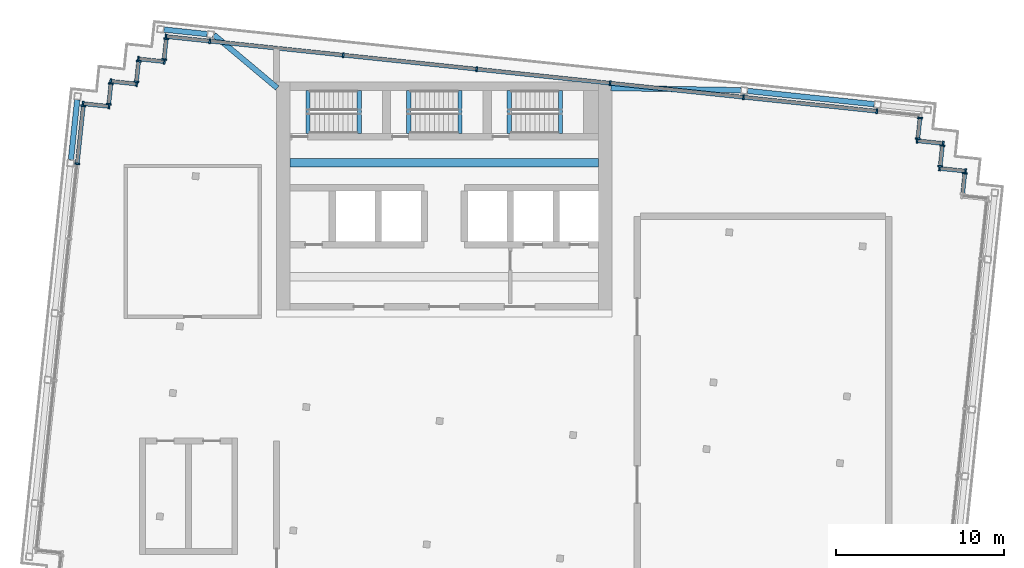
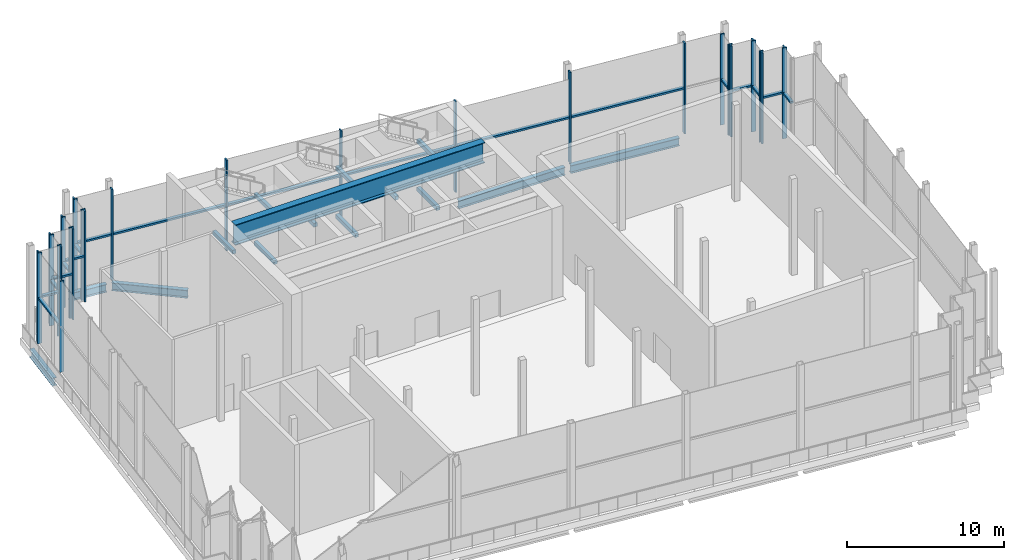
# One storey, part 5 of 14: 48 members, 15 beams, 13 elements without a shape of their own.
"""IFC4 building model written with IfcOpenShell, lengths in metres."""

from ifc_helpers import new_model, si_unit, direction, frame, origin, origin_2d, place, context, subcontext, project, spatial, rectangle, i_section, extrude, material, material_profile, profile_set, type_object, element, aggregate, save


model = new_model("IFC4")

# Units and contexts
model_context = context("Model", 3, precision=1e-05, world=origin(), true_north=direction((0.0, 1.0)))
body_context = subcontext(model_context, "Body", "Model", "MODEL_VIEW")
ifc_project = project(units=[si_unit("LENGTHUNIT", "METRE"), si_unit("AREAUNIT", "SQUARE_METRE"), si_unit("VOLUMEUNIT", "CUBIC_METRE"), si_unit("PLANEANGLEUNIT", "RADIAN"), si_unit("MASSUNIT", "GRAM", prefix="KILO")], contexts=[model_context])

# Site, building, storey
site_placement = place(None, origin())
site = spatial("IfcSite", under=ifc_project, at=site_placement, CompositionType="ELEMENT")
building_placement = place(site_placement, origin())
building = spatial("IfcBuilding", under=site, at=building_placement, Name="Vidyagriha Tower", CompositionType="ELEMENT")
storey_placement = place(building_placement, frame((0.0, 0.0, 301.699951171875)))
storey = spatial("IfcBuildingStorey", under=building, at=storey_placement, Name="L78", CompositionType="ELEMENT", Elevation=301.699951171875)

# Beams
ifc_material_1 = material(Name="Steel ASTM A992 Grade 50", Category="steel")
ifc_material_profile_1 = material_profile(ifc_material_1, i_section(OverallWidth=0.5, OverallDepth=1.60009765625, WebThickness=0.030029296875, FlangeThickness=0.06005859375, at=origin_2d()), Name="H1600x500x30x60")
ifc_profile_set_1 = profile_set([ifc_material_profile_1], Name="Steel ASTM A992 Grade 50")
beam_type_1 = type_object("IfcBeamType", Name="Damper support girder H1600x500x30x60", PredefinedType="BEAM", material=ifc_profile_set_1)
beam_1_placement = place(storey_placement, frame((-9.199951171875, 15.199951171875, 6.280029296875), z_axis=(1.0, 0.0, 0.0), x_axis=(0.0, 1.0, 0.0)))
element("IfcBeam", 1, at=beam_1_placement, inside=storey, type_object=beam_type_1, Name="st-beam-L78-DG2", PredefinedType="BEAM", context=body_context, shape_type="SweptSolid", body=[
    extrude(i_section(OverallWidth=0.5, OverallDepth=1.60009765625, WebThickness=0.030029296875, FlangeThickness=0.06005859375, at=origin_2d()), origin(), (0.0, 0.0, 1.0), 18.39990234375),
])
ifc_material_2 = material(Name="Steel ASTM A992 Grade 50", Category="steel")
ifc_material_profile_2 = material_profile(ifc_material_2, i_section(OverallWidth=0.32373046875, OverallDepth=0.612060546875, WebThickness=0.0126953125, FlangeThickness=0.01904296875, at=origin_2d()), Name="W24X104")
ifc_profile_set_2 = profile_set([ifc_material_profile_2], Name="Steel ASTM A992 Grade 50")
beam_type_2 = type_object("IfcBeamType", Name="Edge beam W24X104", PredefinedType="SPANDREL", material=ifc_profile_set_2)
beam_2_placement = place(storey_placement, frame((-22.269287109375, 15.372802734375, -0.805908203125), z_axis=(0.104578872801, 0.994516595821, 0.0), x_axis=(-0.994516595821, 0.104578872801, 0.0)))
element("IfcBeam", 2, at=beam_2_placement, inside=storey, type_object=beam_type_2, Name="st-beam-L78-W12", PredefinedType="SPANDREL", context=body_context, shape_type="SweptSolid", body=[
    extrude(i_section(OverallWidth=0.32373046875, OverallDepth=0.612060546875, WebThickness=0.0126953125, FlangeThickness=0.01904296875, at=origin_2d()), origin(), (0.0, 0.0, 1.0), 3.599853515625),
])
beam_3_placement = place(storey_placement, frame((-16.727294921875, 23.135986328125, -0.805908203125), z_axis=(0.994523446942, -0.104513699976, 0.0), x_axis=(0.104513699976, 0.994523446942, 0.0)))
element("IfcBeam", 3, at=beam_3_placement, inside=storey, type_object=beam_type_2, Name="st-beam-L78-NW18", PredefinedType="SPANDREL", context=body_context, shape_type="SweptSolid", body=[
    extrude(i_section(OverallWidth=0.32373046875, OverallDepth=0.612060546875, WebThickness=0.0126953125, FlangeThickness=0.01904296875, at=origin_2d()), origin(), (0.0, 0.0, 1.0), 2.599853515625),
])
beam_4_placement = place(storey_placement, frame((18.080810546875, 19.4775390625, -0.805908203125), z_axis=(0.994521985944, -0.104527601494, 0.0), x_axis=(0.104527601494, 0.994521985944, 0.0)))
element("IfcBeam", 4, at=beam_4_placement, inside=storey, type_object=beam_type_2, Name="st-beam-L78-NE19", PredefinedType="SPANDREL", context=body_context, shape_type="SweptSolid", body=[
    extrude(i_section(OverallWidth=0.32373046875, OverallDepth=0.612060546875, WebThickness=0.0126953125, FlangeThickness=0.01904296875, at=origin_2d()), origin(), (0.0, 0.0, 1.0), 7.600341796875),
])
beam_5_placement = place(storey_placement, frame((-13.743896484375, 22.822509765625, -0.805908203125), z_axis=(0.76590463898, -0.642954184984, 0.0), x_axis=(0.642954184984, 0.76590463898, 0.0)))
element("IfcBeam", 5, at=beam_5_placement, inside=storey, type_object=beam_type_2, Name="st-beam-L78-NC21", PredefinedType="SPANDREL", context=body_context, shape_type="SweptSolid", body=[
    extrude(i_section(OverallWidth=0.32373046875, OverallDepth=0.612060546875, WebThickness=0.0126953125, FlangeThickness=0.01904296875, at=origin_2d()), origin(), (0.0, 0.0, 1.0), 4.934326171875),
])
beam_6_placement = place(storey_placement, frame((9.92578125, 19.64990234375, -0.805908203125), z_axis=(0.999858276636, -0.016835279726, 0.0), x_axis=(0.016835279726, 0.999858276636, 0.0)))
element("IfcBeam", 6, at=beam_6_placement, inside=storey, type_object=beam_type_2, Name="st-beam-L78-NC22", PredefinedType="SPANDREL", context=body_context, shape_type="SweptSolid", body=[
    extrude(i_section(OverallWidth=0.32373046875, OverallDepth=0.612060546875, WebThickness=0.0126953125, FlangeThickness=0.01904296875, at=origin_2d()), origin(), (0.0, 0.0, 1.0), 7.758544921875),
])

# Curtain wall, member
ifc_material_3 = material(Name="Aluminium and glass curtain wall", Category="aluminium")
curtain_wall_type = type_object("IfcCurtainWallType", Name="Damper floor glazing wall", PredefinedType="USERDEFINED", material=ifc_material_3)
curtain_wall_1_placement = place(storey_placement, origin())
curtain_wall_1 = element("IfcCurtainWall", 7, at=curtain_wall_1_placement, inside=storey, type_object=curtain_wall_type, Name="CW5 damper floor glazing", ObjectType="STICK GLAZING", PredefinedType="USERDEFINED")
ifc_material_4 = material(Name="Aluminium black anodised", Category="aluminium")
ifc_material_profile_3 = material_profile(ifc_material_4, rectangle(XDim=0.300048828125, YDim=0.10009765625, at=origin_2d()), Name="Mullion 100x300 black aluminium")
ifc_profile_set_3 = profile_set([ifc_material_profile_3], Name="Aluminium black anodised")
member_type_1 = type_object("IfcMemberType", Name="Mullion 100x300 black aluminium", PredefinedType="MULLION", material=ifc_profile_set_3)
member_1_placement = place(storey_placement, frame((31.03857421875, 14.566162109375, 0.0), z_axis=(0.0, 0.0, 1.0), x_axis=(-0.994527511623, 0.104475014354, 0.0)))
member_1 = element("IfcMember", 8, at=member_1_placement, type_object=member_type_1, Name="CW5 mullion 2", PredefinedType="MULLION", context=body_context, shape_type="SweptSolid", body=[
    extrude(rectangle(XDim=0.300048828125, YDim=0.10009765625, at=origin_2d()), origin(), (0.0, 0.0, 1.0), 7.080078125),
])

# Curtain wall, members
curtain_wall_2_placement = place(storey_placement, origin())
curtain_wall_2 = element("IfcCurtainWall", 9, at=curtain_wall_2_placement, inside=storey, type_object=curtain_wall_type, Name="CW5 damper floor glazing", ObjectType="STICK GLAZING", PredefinedType="USERDEFINED")
member_2_placement = place(storey_placement, frame((31.08203125, 14.692138671875, 0.0), z_axis=(0.0, 0.0, 1.0), x_axis=(-0.104518583201, -0.994522933756, 0.0)))
member_2 = element("IfcMember", 10, at=member_2_placement, type_object=member_type_1, Name="CW5 mullion 1", PredefinedType="MULLION", context=body_context, shape_type="SweptSolid", body=[
    extrude(rectangle(XDim=0.300048828125, YDim=0.10009765625, at=origin_2d()), origin(), (0.0, 0.0, 1.0), 7.080078125),
])
member_3_placement = place(storey_placement, frame((29.530517578125, 14.855224609375, 0.0), z_axis=(0.0, 0.0, 1.0), x_axis=(-0.104518583201, -0.994522933756, 0.0)))
member_3 = element("IfcMember", 11, at=member_3_placement, type_object=member_type_1, Name="CW5 mullion 2", PredefinedType="MULLION", context=body_context, shape_type="SweptSolid", body=[
    extrude(rectangle(XDim=0.300048828125, YDim=0.10009765625, at=origin_2d()), origin(), (0.0, 0.0, 1.0), 7.080078125),
])

curtain_wall_3_placement = place(storey_placement, origin())
curtain_wall_3 = element("IfcCurtainWall", 12, at=curtain_wall_3_placement, inside=storey, type_object=curtain_wall_type, Name="CW5 damper floor glazing", ObjectType="STICK GLAZING", PredefinedType="USERDEFINED")
member_4_placement = place(storey_placement, frame((29.573974609375, 14.9814453125, 0.0), z_axis=(0.0, 0.0, 1.0), x_axis=(-0.994518939392, 0.104556583677, 0.0)))
member_4 = element("IfcMember", 13, at=member_4_placement, type_object=member_type_1, Name="CW5 mullion 1", PredefinedType="MULLION", context=body_context, shape_type="SweptSolid", body=[
    extrude(rectangle(XDim=0.300048828125, YDim=0.10009765625, at=origin_2d()), origin(), (0.0, 0.0, 1.0), 7.080078125),
])
member_5_placement = place(storey_placement, frame((29.70361328125, 16.214599609375, 0.0), z_axis=(0.0, 0.0, 1.0), x_axis=(-0.994518939392, 0.104556583677, 0.0)))
member_5 = element("IfcMember", 14, at=member_5_placement, type_object=member_type_1, Name="CW5 mullion 2", PredefinedType="MULLION", context=body_context, shape_type="SweptSolid", body=[
    extrude(rectangle(XDim=0.300048828125, YDim=0.10009765625, at=origin_2d()), origin(), (0.0, 0.0, 1.0), 7.080078125),
])

curtain_wall_4_placement = place(storey_placement, origin())
curtain_wall_4 = element("IfcCurtainWall", 15, at=curtain_wall_4_placement, inside=storey, type_object=curtain_wall_type, Name="CW5 damper floor glazing", ObjectType="STICK GLAZING", PredefinedType="USERDEFINED")
member_6_placement = place(storey_placement, frame((29.7470703125, 16.3408203125, 0.0), z_axis=(0.0, 0.0, 1.0), x_axis=(-0.104518583201, -0.994522933756, 0.0)))
member_6 = element("IfcMember", 16, at=member_6_placement, type_object=member_type_1, Name="CW5 mullion 1", PredefinedType="MULLION", context=body_context, shape_type="SweptSolid", body=[
    extrude(rectangle(XDim=0.300048828125, YDim=0.10009765625, at=origin_2d()), origin(), (0.0, 0.0, 1.0), 7.080078125),
])
member_7_placement = place(storey_placement, frame((28.195556640625, 16.50390625, 0.0), z_axis=(0.0, 0.0, 1.0), x_axis=(-0.104518583201, -0.994522933756, 0.0)))
member_7 = element("IfcMember", 17, at=member_7_placement, type_object=member_type_1, Name="CW5 mullion 2", PredefinedType="MULLION", context=body_context, shape_type="SweptSolid", body=[
    extrude(rectangle(XDim=0.300048828125, YDim=0.10009765625, at=origin_2d()), origin(), (0.0, 0.0, 1.0), 7.080078125),
])

curtain_wall_5_placement = place(storey_placement, origin())
curtain_wall_5 = element("IfcCurtainWall", 18, at=curtain_wall_5_placement, inside=storey, type_object=curtain_wall_type, Name="CW5 damper floor glazing", ObjectType="STICK GLAZING", PredefinedType="USERDEFINED")
member_8_placement = place(storey_placement, frame((28.239013671875, 16.630126953125, 0.0), z_axis=(0.0, 0.0, 1.0), x_axis=(-0.994518939392, 0.104556583677, 0.0)))
member_8 = element("IfcMember", 19, at=member_8_placement, type_object=member_type_1, Name="CW5 mullion 1", PredefinedType="MULLION", context=body_context, shape_type="SweptSolid", body=[
    extrude(rectangle(XDim=0.300048828125, YDim=0.10009765625, at=origin_2d()), origin(), (0.0, 0.0, 1.0), 7.080078125),
])
member_9_placement = place(storey_placement, frame((28.36865234375, 17.86328125, 0.0), z_axis=(0.0, 0.0, 1.0), x_axis=(-0.994518939392, 0.104556583677, 0.0)))
member_9 = element("IfcMember", 20, at=member_9_placement, type_object=member_type_1, Name="CW5 mullion 2", PredefinedType="MULLION", context=body_context, shape_type="SweptSolid", body=[
    extrude(rectangle(XDim=0.300048828125, YDim=0.10009765625, at=origin_2d()), origin(), (0.0, 0.0, 1.0), 7.080078125),
])

curtain_wall_6_placement = place(storey_placement, origin())
curtain_wall_6 = element("IfcCurtainWall", 21, at=curtain_wall_6_placement, inside=storey, type_object=curtain_wall_type, Name="CW5 damper floor glazing", ObjectType="STICK GLAZING", PredefinedType="USERDEFINED")
member_10_placement = place(storey_placement, frame((25.79638671875, 18.264404296875, 0.0), z_axis=(0.0, 0.0, 1.0), x_axis=(-0.104528022383, -0.994521941707, 0.0)))
member_10 = element("IfcMember", 22, at=member_10_placement, type_object=member_type_1, Name="CW5 mullion 2", PredefinedType="MULLION", context=body_context, shape_type="SweptSolid", body=[
    extrude(rectangle(XDim=0.300048828125, YDim=0.10009765625, at=origin_2d()), origin(), (0.0, 0.0, 1.0), 7.080078125),
])
member_11_placement = place(storey_placement, frame((17.840087890625, 19.1005859375, 0.0), z_axis=(0.0, 0.0, 1.0), x_axis=(-0.104528022383, -0.994521941707, 0.0)))
member_11 = element("IfcMember", 23, at=member_11_placement, type_object=member_type_1, Name="CW5 mullion 3", PredefinedType="MULLION", context=body_context, shape_type="SweptSolid", body=[
    extrude(rectangle(XDim=0.300048828125, YDim=0.10009765625, at=origin_2d()), origin(), (0.0, 0.0, 1.0), 7.080078125),
])
member_12_placement = place(storey_placement, frame((9.884033203125, 19.936767578125, 0.0), z_axis=(0.0, 0.0, 1.0), x_axis=(-0.104528022383, -0.994521941707, 0.0)))
member_12 = element("IfcMember", 24, at=member_12_placement, type_object=member_type_1, Name="CW5 mullion 4", PredefinedType="MULLION", context=body_context, shape_type="SweptSolid", body=[
    extrude(rectangle(XDim=0.300048828125, YDim=0.10009765625, at=origin_2d()), origin(), (0.0, 0.0, 1.0), 7.080078125),
])
member_13_placement = place(storey_placement, frame((1.927978515625, 20.77294921875, 0.0), z_axis=(0.0, 0.0, 1.0), x_axis=(-0.104528022383, -0.994521941707, 0.0)))
member_13 = element("IfcMember", 25, at=member_13_placement, type_object=member_type_1, Name="CW5 mullion 5", PredefinedType="MULLION", context=body_context, shape_type="SweptSolid", body=[
    extrude(rectangle(XDim=0.300048828125, YDim=0.10009765625, at=origin_2d()), origin(), (0.0, 0.0, 1.0), 7.080078125),
])
member_14_placement = place(storey_placement, frame((-6.0283203125, 21.609130859375, 0.0), z_axis=(0.0, 0.0, 1.0), x_axis=(-0.104528022383, -0.994521941707, 0.0)))
member_14 = element("IfcMember", 26, at=member_14_placement, type_object=member_type_1, Name="CW5 mullion 6", PredefinedType="MULLION", context=body_context, shape_type="SweptSolid", body=[
    extrude(rectangle(XDim=0.300048828125, YDim=0.10009765625, at=origin_2d()), origin(), (0.0, 0.0, 1.0), 7.080078125),
])
member_15_placement = place(storey_placement, frame((-13.984619140625, 22.445556640625, 0.0), z_axis=(0.0, 0.0, 1.0), x_axis=(-0.104528022383, -0.994521941707, 0.0)))
member_15 = element("IfcMember", 27, at=member_15_placement, type_object=member_type_1, Name="CW5 mullion 7", PredefinedType="MULLION", context=body_context, shape_type="SweptSolid", body=[
    extrude(rectangle(XDim=0.300048828125, YDim=0.10009765625, at=origin_2d()), origin(), (0.0, 0.0, 1.0), 7.080078125),
])
member_16_placement = place(storey_placement, frame((-16.60009765625, 22.720458984375, 0.0), z_axis=(0.0, 0.0, 1.0), x_axis=(-0.104528022383, -0.994521941707, 0.0)))
member_16 = element("IfcMember", 28, at=member_16_placement, type_object=member_type_1, Name="CW5 mullion 8", PredefinedType="MULLION", context=body_context, shape_type="SweptSolid", body=[
    extrude(rectangle(XDim=0.300048828125, YDim=0.10009765625, at=origin_2d()), origin(), (0.0, 0.0, 1.0), 7.080078125),
])

curtain_wall_7_placement = place(storey_placement, origin())
curtain_wall_7 = element("IfcCurtainWall", 29, at=curtain_wall_7_placement, inside=storey, type_object=curtain_wall_type, Name="CW5 damper floor glazing", ObjectType="STICK GLAZING", PredefinedType="USERDEFINED")
member_17_placement = place(storey_placement, frame((-16.583984375, 22.587890625, 0.0), z_axis=(0.0, 0.0, 1.0), x_axis=(0.994519755162, -0.104548823962, 0.0)))
member_17 = element("IfcMember", 30, at=member_17_placement, type_object=member_type_1, Name="CW5 mullion 1", PredefinedType="MULLION", context=body_context, shape_type="SweptSolid", body=[
    extrude(rectangle(XDim=0.300048828125, YDim=0.10009765625, at=origin_2d()), origin(), (0.0, 0.0, 1.0), 7.080078125),
])
member_18_placement = place(storey_placement, frame((-16.713623046875, 21.354736328125, 0.0), z_axis=(0.0, 0.0, 1.0), x_axis=(0.994519755162, -0.104548823962, 0.0)))
member_18 = element("IfcMember", 31, at=member_18_placement, type_object=member_type_1, Name="CW5 mullion 2", PredefinedType="MULLION", context=body_context, shape_type="SweptSolid", body=[
    extrude(rectangle(XDim=0.300048828125, YDim=0.10009765625, at=origin_2d()), origin(), (0.0, 0.0, 1.0), 7.080078125),
])

curtain_wall_8_placement = place(storey_placement, origin())
curtain_wall_8 = element("IfcCurtainWall", 32, at=curtain_wall_8_placement, inside=storey, type_object=curtain_wall_type, Name="CW5 damper floor glazing", ObjectType="STICK GLAZING", PredefinedType="USERDEFINED")
member_19_placement = place(storey_placement, frame((-16.697265625, 21.222412109375, 0.0), z_axis=(0.0, 0.0, 1.0), x_axis=(-0.104518583201, -0.994522933756, 0.0)))
member_19 = element("IfcMember", 33, at=member_19_placement, type_object=member_type_1, Name="CW5 mullion 1", PredefinedType="MULLION", context=body_context, shape_type="SweptSolid", body=[
    extrude(rectangle(XDim=0.300048828125, YDim=0.10009765625, at=origin_2d()), origin(), (0.0, 0.0, 1.0), 7.080078125),
])
member_20_placement = place(storey_placement, frame((-18.248779296875, 21.38525390625, 0.0), z_axis=(0.0, 0.0, 1.0), x_axis=(-0.104518583201, -0.994522933756, 0.0)))
member_20 = element("IfcMember", 34, at=member_20_placement, type_object=member_type_1, Name="CW5 mullion 2", PredefinedType="MULLION", context=body_context, shape_type="SweptSolid", body=[
    extrude(rectangle(XDim=0.300048828125, YDim=0.10009765625, at=origin_2d()), origin(), (0.0, 0.0, 1.0), 7.080078125),
])

curtain_wall_9_placement = place(storey_placement, origin())
curtain_wall_9 = element("IfcCurtainWall", 35, at=curtain_wall_9_placement, inside=storey, type_object=curtain_wall_type, Name="CW5 damper floor glazing", ObjectType="STICK GLAZING", PredefinedType="USERDEFINED")
member_21_placement = place(storey_placement, frame((-18.232421875, 21.2529296875, 0.0), z_axis=(0.0, 0.0, 1.0), x_axis=(0.994519755162, -0.104548823962, 0.0)))
member_21 = element("IfcMember", 36, at=member_21_placement, type_object=member_type_1, Name="CW5 mullion 1", PredefinedType="MULLION", context=body_context, shape_type="SweptSolid", body=[
    extrude(rectangle(XDim=0.300048828125, YDim=0.10009765625, at=origin_2d()), origin(), (0.0, 0.0, 1.0), 7.080078125),
])
member_22_placement = place(storey_placement, frame((-18.362060546875, 20.019775390625, 0.0), z_axis=(0.0, 0.0, 1.0), x_axis=(0.994519755162, -0.104548823962, 0.0)))
member_22 = element("IfcMember", 37, at=member_22_placement, type_object=member_type_1, Name="CW5 mullion 2", PredefinedType="MULLION", context=body_context, shape_type="SweptSolid", body=[
    extrude(rectangle(XDim=0.300048828125, YDim=0.10009765625, at=origin_2d()), origin(), (0.0, 0.0, 1.0), 7.080078125),
])

curtain_wall_10_placement = place(storey_placement, origin())
curtain_wall_10 = element("IfcCurtainWall", 38, at=curtain_wall_10_placement, inside=storey, type_object=curtain_wall_type, Name="CW5 damper floor glazing", ObjectType="STICK GLAZING", PredefinedType="USERDEFINED")
member_23_placement = place(storey_placement, frame((-18.345703125, 19.88720703125, 0.0), z_axis=(0.0, 0.0, 1.0), x_axis=(-0.104512321721, -0.994523591781, 0.0)))
member_23 = element("IfcMember", 39, at=member_23_placement, type_object=member_type_1, Name="CW5 mullion 1", PredefinedType="MULLION", context=body_context, shape_type="SweptSolid", body=[
    extrude(rectangle(XDim=0.300048828125, YDim=0.10009765625, at=origin_2d()), origin(), (0.0, 0.0, 1.0), 7.080078125),
])
member_24_placement = place(storey_placement, frame((-19.897216796875, 20.05029296875, 0.0), z_axis=(0.0, 0.0, 1.0), x_axis=(-0.104512321721, -0.994523591781, 0.0)))
member_24 = element("IfcMember", 40, at=member_24_placement, type_object=member_type_1, Name="CW5 mullion 2", PredefinedType="MULLION", context=body_context, shape_type="SweptSolid", body=[
    extrude(rectangle(XDim=0.300048828125, YDim=0.10009765625, at=origin_2d()), origin(), (0.0, 0.0, 1.0), 7.080078125),
])

curtain_wall_11_placement = place(storey_placement, origin())
curtain_wall_11 = element("IfcCurtainWall", 41, at=curtain_wall_11_placement, inside=storey, type_object=curtain_wall_type, Name="CW5 damper floor glazing", ObjectType="STICK GLAZING", PredefinedType="USERDEFINED")
member_25_placement = place(storey_placement, frame((-19.881103515625, 19.91796875, 0.0), z_axis=(0.0, 0.0, 1.0), x_axis=(0.994518123441, -0.10456434453, 0.0)))
member_25 = element("IfcMember", 42, at=member_25_placement, type_object=member_type_1, Name="CW5 mullion 1", PredefinedType="MULLION", context=body_context, shape_type="SweptSolid", body=[
    extrude(rectangle(XDim=0.300048828125, YDim=0.10009765625, at=origin_2d()), origin(), (0.0, 0.0, 1.0), 7.080078125),
])
member_26_placement = place(storey_placement, frame((-20.0107421875, 18.684814453125, 0.0), z_axis=(0.0, 0.0, 1.0), x_axis=(0.994518123441, -0.10456434453, 0.0)))
member_26 = element("IfcMember", 43, at=member_26_placement, type_object=member_type_1, Name="CW5 mullion 2", PredefinedType="MULLION", context=body_context, shape_type="SweptSolid", body=[
    extrude(rectangle(XDim=0.300048828125, YDim=0.10009765625, at=origin_2d()), origin(), (0.0, 0.0, 1.0), 7.080078125),
])

curtain_wall_12_placement = place(storey_placement, origin())
curtain_wall_12 = element("IfcCurtainWall", 44, at=curtain_wall_12_placement, inside=storey, type_object=curtain_wall_type, Name="CW5 damper floor glazing", ObjectType="STICK GLAZING", PredefinedType="USERDEFINED")
member_27_placement = place(storey_placement, frame((-19.994384765625, 18.552490234375, 0.0), z_axis=(0.0, 0.0, 1.0), x_axis=(-0.104452741485, -0.994529851134, 0.0)))
member_27 = element("IfcMember", 45, at=member_27_placement, type_object=member_type_1, Name="CW5 mullion 1", PredefinedType="MULLION", context=body_context, shape_type="SweptSolid", body=[
    extrude(rectangle(XDim=0.300048828125, YDim=0.10009765625, at=origin_2d()), origin(), (0.0, 0.0, 1.0), 7.080078125),
])
member_28_placement = place(storey_placement, frame((-21.5458984375, 18.715576171875, 0.0), z_axis=(0.0, 0.0, 1.0), x_axis=(-0.104452741485, -0.994529851134, 0.0)))
member_28 = element("IfcMember", 46, at=member_28_placement, type_object=member_type_1, Name="CW5 mullion 2", PredefinedType="MULLION", context=body_context, shape_type="SweptSolid", body=[
    extrude(rectangle(XDim=0.300048828125, YDim=0.10009765625, at=origin_2d()), origin(), (0.0, 0.0, 1.0), 7.080078125),
])

curtain_wall_13_placement = place(storey_placement, origin())
curtain_wall_13 = element("IfcCurtainWall", 47, at=curtain_wall_13_placement, inside=storey, type_object=curtain_wall_type, Name="CW5 damper floor glazing", ObjectType="STICK GLAZING", PredefinedType="USERDEFINED")
member_29_placement = place(storey_placement, frame((-21.529541015625, 18.5830078125, 0.0), z_axis=(0.0, 0.0, 1.0), x_axis=(0.994522018715, -0.104527289697, 0.0)))
member_29 = element("IfcMember", 48, at=member_29_placement, type_object=member_type_1, Name="CW5 mullion 1", PredefinedType="MULLION", context=body_context, shape_type="SweptSolid", body=[
    extrude(rectangle(XDim=0.300048828125, YDim=0.10009765625, at=origin_2d()), origin(), (0.0, 0.0, 1.0), 7.080078125),
])
member_30_placement = place(storey_placement, frame((-21.892333984375, 15.132080078125, 0.0), z_axis=(0.0, 0.0, 1.0), x_axis=(0.994522018715, -0.104527289697, 0.0)))
member_30 = element("IfcMember", 49, at=member_30_placement, type_object=member_type_1, Name="CW5 mullion 2", PredefinedType="MULLION", context=body_context, shape_type="SweptSolid", body=[
    extrude(rectangle(XDim=0.300048828125, YDim=0.10009765625, at=origin_2d()), origin(), (0.0, 0.0, 1.0), 7.080078125),
])

# Beams
ifc_material_5 = material(Name="Concrete C40/50", Category="concrete")
ifc_material_profile_4 = material_profile(ifc_material_5, rectangle(XDim=0.25, YDim=0.300048828125, at=origin_2d()), Name="Stair landing bearing beam 250x300")
ifc_profile_set_4 = profile_set([ifc_material_profile_4], Name="Concrete C40/50")
beam_type_3 = type_object("IfcBeamType", Name="Stair landing bearing beam 250x300", PredefinedType="BEAM", material=ifc_profile_set_4)
for number, where, z_axis, x_axis, name in (
    (50, (-5.074951171875, 16.949951171875, 1.525146484375), (0.0, 1.0, 0.0), (-1.0, 0.0, 0.0), "ST1 landing bearing beam L78"),
    (51, (-8.125, 16.949951171875, 3.400146484375), (0.0, 1.0, 0.0), (-1.0, 0.0, 0.0), "ST1 landing bearing beam L78"),
    (52, (-5.074951171875, 16.949951171875, 5.275146484375), (0.0, 1.0, 0.0), (-1.0, 0.0, 0.0), "ST1 landing bearing beam L78"),
    (53, (0.925048828125, 16.949951171875, 1.525146484375), (0.0, 1.0, 0.0), (-1.0, 0.0, 0.0), "ST2 landing bearing beam L78"),
    (54, (-2.125, 16.949951171875, 3.400146484375), (0.0, 1.0, 0.0), (-1.0, 0.0, 0.0), "ST2 landing bearing beam L78"),
    (55, (0.925048828125, 16.949951171875, 5.275146484375), (0.0, 1.0, 0.0), (-1.0, 0.0, 0.0), "ST2 landing bearing beam L78"),
    (56, (6.925048828125, 16.949951171875, 1.525146484375), (0.0, 1.0, 0.0), (-1.0, 0.0, 0.0), "ST3 landing bearing beam L78"),
    (57, (3.875, 16.949951171875, 3.400146484375), (0.0, 1.0, 0.0), (-1.0, 0.0, 0.0), "ST3 landing bearing beam L78"),
    (58, (6.925048828125, 16.949951171875, 5.275146484375), (0.0, 1.0, 0.0), (-1.0, 0.0, 0.0), "ST3 landing bearing beam L78"),
):
    element("IfcBeam", number, at=place(storey_placement, frame(where, z_axis=z_axis, x_axis=x_axis)), inside=storey, type_object=beam_type_3, Name=name, PredefinedType="BEAM", context=body_context, shape_type="SweptSolid", body=[
        extrude(rectangle(XDim=0.25, YDim=0.300048828125, at=origin_2d()), origin(), (0.0, 0.0, 1.0), 2.550048828125),
    ])

# Member
ifc_material_6 = material(Name="Aluminium black anodised", Category="aluminium")
ifc_material_profile_5 = material_profile(ifc_material_6, rectangle(XDim=0.239990234375, YDim=0.139892578125, at=origin_2d()), Name="Transom 140x240 black aluminium")
ifc_profile_set_5 = profile_set([ifc_material_profile_5], Name="Aluminium black anodised")
member_type_2 = type_object("IfcMemberType", Name="Transom 140x240 black aluminium", PredefinedType="USERDEFINED", material=ifc_profile_set_5)
member_31_placement = place(storey_placement, frame((30.914306640625, 13.382568359375, 3.5400390625), z_axis=(0.104506420204, 0.994524211941, 0.0), x_axis=(-0.994524211941, 0.104506420204, 0.0)))
member_31 = element("IfcMember", 59, at=member_31_placement, type_object=member_type_2, Name="CW5 transom 1.1", ObjectType="TRANSOM", PredefinedType="USERDEFINED", context=body_context, shape_type="SweptSolid", body=[
    extrude(rectangle(XDim=0.239990234375, YDim=0.139892578125, at=origin_2d()), origin(), (0.0, 0.0, 1.0), 1.14013671875),
])

aggregate(curtain_wall_1, [member_1, member_31])

member_32_placement = place(storey_placement, frame((31.0322265625, 14.697509765625, 3.5400390625), z_axis=(-0.99452284952, 0.104519384723, 0.0), x_axis=(-0.104519384723, -0.99452284952, 0.0)))
member_32 = element("IfcMember", 60, at=member_32_placement, type_object=member_type_2, Name="CW5 transom 1.1", ObjectType="TRANSOM", PredefinedType="USERDEFINED", context=body_context, shape_type="SweptSolid", body=[
    extrude(rectangle(XDim=0.239990234375, YDim=0.139892578125, at=origin_2d()), origin(), (0.0, 0.0, 1.0), 1.4599609375),
])

aggregate(curtain_wall_2, [member_2, member_3, member_32])

member_33_placement = place(storey_placement, frame((29.5791015625, 15.03125, 3.5400390625), z_axis=(0.104506420204, 0.994524211941, 0.0), x_axis=(-0.994524211941, 0.104506420204, 0.0)))
member_33 = element("IfcMember", 61, at=member_33_placement, type_object=member_type_2, Name="CW5 transom 1.1", ObjectType="TRANSOM", PredefinedType="USERDEFINED", context=body_context, shape_type="SweptSolid", body=[
    extrude(rectangle(XDim=0.239990234375, YDim=0.139892578125, at=origin_2d()), origin(), (0.0, 0.0, 1.0), 1.14013671875),
])

aggregate(curtain_wall_3, [member_4, member_5, member_33])

member_34_placement = place(storey_placement, frame((29.697265625, 16.345947265625, 3.5400390625), z_axis=(-0.99452284952, 0.104519384723, 0.0), x_axis=(-0.104519384723, -0.99452284952, 0.0)))
member_34 = element("IfcMember", 62, at=member_34_placement, type_object=member_type_2, Name="CW5 transom 1.1", ObjectType="TRANSOM", PredefinedType="USERDEFINED", context=body_context, shape_type="SweptSolid", body=[
    extrude(rectangle(XDim=0.239990234375, YDim=0.139892578125, at=origin_2d()), origin(), (0.0, 0.0, 1.0), 1.4599609375),
])

aggregate(curtain_wall_4, [member_6, member_7, member_34])

member_35_placement = place(storey_placement, frame((28.244140625, 16.679931640625, 3.5400390625), z_axis=(0.104528682681, 0.994521872307, 0.0), x_axis=(-0.994521872307, 0.104528682681, 0.0)))
member_35 = element("IfcMember", 63, at=member_35_placement, type_object=member_type_2, Name="CW5 transom 1.1", ObjectType="TRANSOM", PredefinedType="USERDEFINED", context=body_context, shape_type="SweptSolid", body=[
    extrude(rectangle(XDim=0.239990234375, YDim=0.139892578125, at=origin_2d()), origin(), (0.0, 0.0, 1.0), 1.139892578125),
])

aggregate(curtain_wall_5, [member_8, member_9, member_35])

member_36_placement = place(storey_placement, frame((25.74658203125, 18.26953125, 3.5400390625), z_axis=(-0.99452304992, 0.104517477854, 0.0), x_axis=(-0.104517477854, -0.99452304992, 0.0)))
member_36 = element("IfcMember", 64, at=member_36_placement, type_object=member_type_2, Name="CW5 transom 2.1", ObjectType="TRANSOM", PredefinedType="USERDEFINED", context=body_context, shape_type="SweptSolid", body=[
    extrude(rectangle(XDim=0.239990234375, YDim=0.139892578125, at=origin_2d()), origin(), (0.0, 0.0, 1.0), 7.89990234375),
])

member_37_placement = place(storey_placement, frame((17.79052734375, 19.105712890625, 3.5400390625), z_axis=(-0.994519837139, 0.104548044158, 0.0), x_axis=(-0.104548044158, -0.994519837139, 0.0)))
member_37 = element("IfcMember", 65, at=member_37_placement, type_object=member_type_2, Name="CW5 transom 3.1", ObjectType="TRANSOM", PredefinedType="USERDEFINED", context=body_context, shape_type="SweptSolid", body=[
    extrude(rectangle(XDim=0.239990234375, YDim=0.139892578125, at=origin_2d()), origin(), (0.0, 0.0, 1.0), 7.89990234375),
])

member_38_placement = place(storey_placement, frame((9.834228515625, 19.94189453125, 3.5400390625), z_axis=(-0.994519837139, 0.104548044158, 0.0), x_axis=(-0.104548044158, -0.994519837139, 0.0)))
member_38 = element("IfcMember", 66, at=member_38_placement, type_object=member_type_2, Name="CW5 transom 4.1", ObjectType="TRANSOM", PredefinedType="USERDEFINED", context=body_context, shape_type="SweptSolid", body=[
    extrude(rectangle(XDim=0.239990234375, YDim=0.139892578125, at=origin_2d()), origin(), (0.0, 0.0, 1.0), 7.89990234375),
])

member_39_placement = place(storey_placement, frame((1.878173828125, 20.7783203125, 3.5400390625), z_axis=(-0.99452304992, 0.104517477854, 0.0), x_axis=(-0.104517477854, -0.99452304992, 0.0)))
member_39 = element("IfcMember", 67, at=member_39_placement, type_object=member_type_2, Name="CW5 transom 5.1", ObjectType="TRANSOM", PredefinedType="USERDEFINED", context=body_context, shape_type="SweptSolid", body=[
    extrude(rectangle(XDim=0.239990234375, YDim=0.139892578125, at=origin_2d()), origin(), (0.0, 0.0, 1.0), 7.89990234375),
])

member_40_placement = place(storey_placement, frame((-6.078125, 21.614501953125, 3.5400390625), z_axis=(-0.99452304992, 0.104517477854, 0.0), x_axis=(-0.104517477854, -0.99452304992, 0.0)))
member_40 = element("IfcMember", 68, at=member_40_placement, type_object=member_type_2, Name="CW5 transom 6.1", ObjectType="TRANSOM", PredefinedType="USERDEFINED", context=body_context, shape_type="SweptSolid", body=[
    extrude(rectangle(XDim=0.239990234375, YDim=0.139892578125, at=origin_2d()), origin(), (0.0, 0.0, 1.0), 7.89990234375),
])

member_41_placement = place(storey_placement, frame((-14.0341796875, 22.45068359375, 3.5400390625), z_axis=(-0.994524997964, 0.104498939827, 0.0), x_axis=(-0.104498939827, -0.994524997964, 0.0)))
member_41 = element("IfcMember", 69, at=member_41_placement, type_object=member_type_2, Name="CW5 transom 7.1", ObjectType="TRANSOM", PredefinedType="USERDEFINED", context=body_context, shape_type="SweptSolid", body=[
    extrude(rectangle(XDim=0.239990234375, YDim=0.139892578125, at=origin_2d()), origin(), (0.0, 0.0, 1.0), 2.5302734375),
])

aggregate(curtain_wall_6, [member_10, member_11, member_12, member_13, member_14, member_15, member_16, member_36, member_37, member_38, member_39, member_40, member_41])

member_42_placement = place(storey_placement, frame((-16.589111328125, 22.538330078125, 3.5400390625), z_axis=(-0.104506420204, -0.994524211941, 0.0), x_axis=(0.994524211941, -0.104506420204, 0.0)))
member_42 = element("IfcMember", 70, at=member_42_placement, type_object=member_type_2, Name="CW5 transom 1.1", ObjectType="TRANSOM", PredefinedType="USERDEFINED", context=body_context, shape_type="SweptSolid", body=[
    extrude(rectangle(XDim=0.239990234375, YDim=0.139892578125, at=origin_2d()), origin(), (0.0, 0.0, 1.0), 1.14013671875),
])

aggregate(curtain_wall_7, [member_17, member_18, member_42])

member_43_placement = place(storey_placement, frame((-16.7470703125, 21.2275390625, 3.5400390625), z_axis=(-0.99452284952, 0.104519384723, 0.0), x_axis=(-0.104519384723, -0.99452284952, 0.0)))
member_43 = element("IfcMember", 71, at=member_43_placement, type_object=member_type_2, Name="CW5 transom 1.1", ObjectType="TRANSOM", PredefinedType="USERDEFINED", context=body_context, shape_type="SweptSolid", body=[
    extrude(rectangle(XDim=0.239990234375, YDim=0.139892578125, at=origin_2d()), origin(), (0.0, 0.0, 1.0), 1.4599609375),
])

aggregate(curtain_wall_8, [member_19, member_20, member_43])

member_44_placement = place(storey_placement, frame((-18.237548828125, 21.203369140625, 3.5400390625), z_axis=(-0.104695929553, -0.994504279697, 0.0), x_axis=(0.994504279697, -0.104695929553, 0.0)))
member_44 = element("IfcMember", 72, at=member_44_placement, type_object=member_type_2, Name="CW5 transom 1.1", ObjectType="TRANSOM", PredefinedType="USERDEFINED", context=body_context, shape_type="SweptSolid", body=[
    extrude(rectangle(XDim=0.239990234375, YDim=0.139892578125, at=origin_2d()), origin(), (0.0, 0.0, 1.0), 1.140380859375),
])

aggregate(curtain_wall_9, [member_21, member_22, member_44])

member_45_placement = place(storey_placement, frame((-18.3955078125, 19.892578125, 3.5400390625), z_axis=(-0.994524675946, 0.10450200445, 0.0), x_axis=(-0.10450200445, -0.994524675946, 0.0)))
member_45 = element("IfcMember", 73, at=member_45_placement, type_object=member_type_2, Name="CW5 transom 1.1", ObjectType="TRANSOM", PredefinedType="USERDEFINED", context=body_context, shape_type="SweptSolid", body=[
    extrude(rectangle(XDim=0.239990234375, YDim=0.139892578125, at=origin_2d()), origin(), (0.0, 0.0, 1.0), 1.460205078125),
])

aggregate(curtain_wall_10, [member_23, member_24, member_45])

member_46_placement = place(storey_placement, frame((-19.88623046875, 19.8681640625, 3.5400390625), z_axis=(-0.104528682681, -0.994521872307, 0.0), x_axis=(0.994521872307, -0.104528682681, 0.0)))
member_46 = element("IfcMember", 74, at=member_46_placement, type_object=member_type_2, Name="CW5 transom 1.1", ObjectType="TRANSOM", PredefinedType="USERDEFINED", context=body_context, shape_type="SweptSolid", body=[
    extrude(rectangle(XDim=0.239990234375, YDim=0.139892578125, at=origin_2d()), origin(), (0.0, 0.0, 1.0), 1.139892578125),
])

aggregate(curtain_wall_11, [member_25, member_26, member_46])

member_47_placement = place(storey_placement, frame((-20.0439453125, 18.557861328125, 3.5400390625), z_axis=(-0.994542039899, 0.104336622881, 0.0), x_axis=(-0.104336622881, -0.994542039899, 0.0)))
member_47 = element("IfcMember", 75, at=member_47_placement, type_object=member_type_2, Name="CW5 transom 1.1", ObjectType="TRANSOM", PredefinedType="USERDEFINED", context=body_context, shape_type="SweptSolid", body=[
    extrude(rectangle(XDim=0.239990234375, YDim=0.139892578125, at=origin_2d()), origin(), (0.0, 0.0, 1.0), 1.460205078125),
])

aggregate(curtain_wall_12, [member_27, member_28, member_47])

member_48_placement = place(storey_placement, frame((-21.534912109375, 18.533203125, 3.5400390625), z_axis=(-0.104537710696, -0.994520923381, 0.0), x_axis=(0.994520923381, -0.104537710696, 0.0)))
member_48 = element("IfcMember", 76, at=member_48_placement, type_object=member_type_2, Name="CW5 transom 1.1", ObjectType="TRANSOM", PredefinedType="USERDEFINED", context=body_context, shape_type="SweptSolid", body=[
    extrude(rectangle(XDim=0.239990234375, YDim=0.139892578125, at=origin_2d()), origin(), (0.0, 0.0, 1.0), 3.3701171875),
])

aggregate(curtain_wall_13, [member_29, member_30, member_48])

save(model, "model.ifc")
